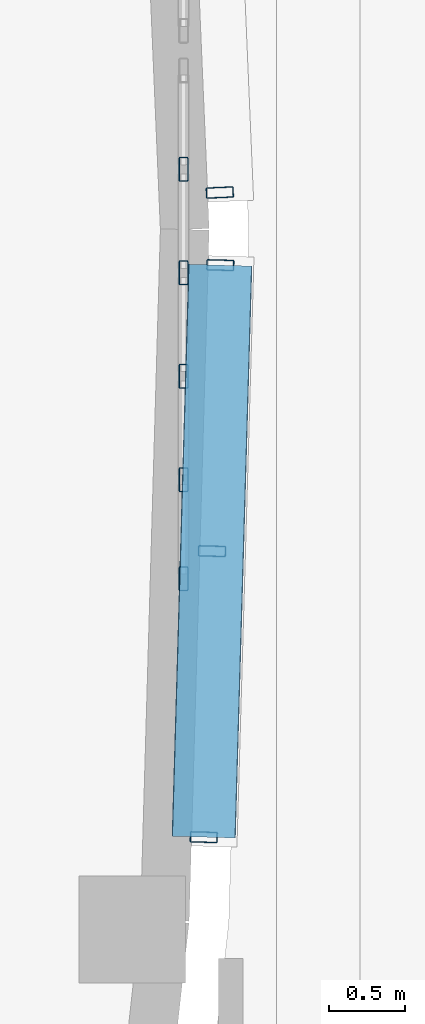
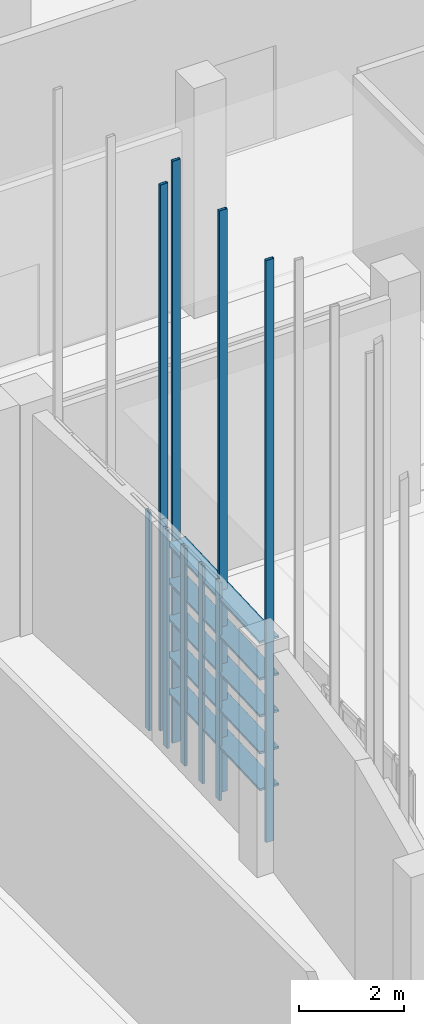
# One storey, part 280 of 372: 14 members, 1 element without a shape of its own.
"""IFC4 building model written with IfcOpenShell, lengths in metres."""

import ifcopenshell
import ifcopenshell.guid

model = None  # the IFC model being written
_history = None  # IfcOwnerHistory: only IFC2X3 demands one
_inside = {}  # id of a spatial element -> (the spatial element, [elements in it])
_under = {}  # id of a project, library or spatial element -> (it, [spatial elements below it])
_declared = {}  # id of a project -> (the project, [libraries it declares])
_typed = {}  # id of a type object -> (the type object, [elements of that type])
_made_of = {}  # id of a material, layer set ... -> (it, [elements and type objects made of it])


def new_model(schema):
    """Start an empty IFC model of exactly this schema.

    Asked for "IFC4X3", IfcOpenShell would pick the latest addendum, in which some entities
    have other attributes; the version numbers below select the first issue.
    IFC2X3 requires an IfcOwnerHistory on every rooted entity: one is made here for all.
    """
    global model, _history
    if schema == "IFC4X3":
        model = ifcopenshell.file(schema_version=(4, 3, 0, 0))
    else:
        model = ifcopenshell.file(schema=schema)
    _inside.clear()
    _under.clear()
    _declared.clear()
    _typed.clear()
    _made_of.clear()
    _history = None
    if model.schema == "IFC2X3":
        org = make("IfcOrganization", Name="unknown")
        user = make(
            "IfcPersonAndOrganization",
            ThePerson=make("IfcPerson", FamilyName="unknown"),
            TheOrganization=org,
        )
        app = make(
            "IfcApplication",
            ApplicationDeveloper=org,
            Version="unknown",
            ApplicationFullName="unknown",
            ApplicationIdentifier="unknown",
        )
        _history = make(
            "IfcOwnerHistory",
            OwningUser=user,
            OwningApplication=app,
            ChangeAction="ADDED",
            CreationDate=0,
        )
    return model


def make(cls, **values):
    """One entity of the class cls with the attributes given. An attribute that is None is left unset."""
    return model.create_entity(
        cls, **{name: value for name, value in values.items() if value is not None}
    )


def rooted(cls, **values):
    """An entity with a GlobalId (a new one), such as an element, a storey or a relation."""
    return make(cls, GlobalId=ifcopenshell.guid.new(), OwnerHistory=_history, **values)


def si_unit(unit_type, name, prefix=None):
    """IfcSIUnit, for example si_unit("LENGTHUNIT", "METRE", prefix="MILLI")."""
    return make("IfcSIUnit", UnitType=unit_type, Prefix=prefix, Name=name)


def assignment(units):
    """IfcUnitAssignment: the units of a project."""
    return None if units is None else make("IfcUnitAssignment", Units=units)


def point(xyz):
    """IfcCartesianPoint."""
    return None if xyz is None else make("IfcCartesianPoint", Coordinates=xyz)


def direction(xyz):
    """IfcDirection."""
    return None if xyz is None else make("IfcDirection", DirectionRatios=xyz)


def frame(location, z_axis=None, x_axis=None):
    """IfcAxis2Placement3D, a coordinate frame: its origin and axes. An axis left out is left unset."""
    return make(
        "IfcAxis2Placement3D",
        Location=point(location),
        Axis=direction(z_axis),
        RefDirection=direction(x_axis),
    )


def frame_2d(location, x_axis=None):
    """IfcAxis2Placement2D, a coordinate frame in the plane: its origin and x axis."""
    return make(
        "IfcAxis2Placement2D", Location=point(location), RefDirection=direction(x_axis)
    )


def origin():
    """The frame at (0, 0, 0) with its axes left unset."""
    return frame((0.0, 0.0, 0.0))


def origin_2d():
    """The frame at (0, 0) in the plane with its x axis left unset."""
    return frame_2d((0.0, 0.0))


def place(relative_to, where):
    """IfcLocalPlacement: puts the frame where relative to a parent placement (None: the world)."""
    return make(
        "IfcLocalPlacement", PlacementRelTo=relative_to, RelativePlacement=where
    )


def context(
    kind, dimensions, precision=None, world=None, true_north=None, identifier=None
):
    """IfcGeometricRepresentationContext, for example the 3D "Model" context."""
    return make(
        "IfcGeometricRepresentationContext",
        ContextIdentifier=identifier,
        ContextType=kind,
        CoordinateSpaceDimension=dimensions,
        Precision=precision,
        WorldCoordinateSystem=world,
        TrueNorth=true_north,
    )


def subcontext(parent, identifier, kind, view, scale=None):
    """IfcGeometricRepresentationSubContext, for example "Body" below "Model"."""
    return make(
        "IfcGeometricRepresentationSubContext",
        ContextIdentifier=identifier,
        ContextType=kind,
        ParentContext=parent,
        TargetScale=scale,
        TargetView=view,
    )


def project(units=None, contexts=None):
    """IfcProject with its units and contexts."""
    return rooted(
        "IfcProject",
        Name="project",
        RepresentationContexts=contexts,
        UnitsInContext=assignment(units),
    )


def spatial(cls, under=None, at=None, **own):
    """A site, building, storey or space (cls), placed at a placement, below another one or the project."""
    s = rooted(cls, ObjectPlacement=at, **own)
    if under is not None:
        _under.setdefault(under.id(), (under, []))[1].append(s)
    return s


def profile(cls, at=None, kind="AREA", **sizes):
    """A parametric profile (cls). Its sizes go by their IFC names, for example OverallWidth=200.0."""
    return make(cls, ProfileType=kind, Position=at, **sizes)


def hollow_rectangle(**sizes):
    """IfcRectangleHollowProfileDef."""
    return profile("IfcRectangleHollowProfileDef", **sizes)


def extrude(swept, where, along, depth):
    """IfcExtrudedAreaSolid: the profile swept, set in the frame where, extruded along a direction by depth."""
    return make(
        "IfcExtrudedAreaSolid",
        SweptArea=swept,
        Position=where,
        ExtrudedDirection=direction(along),
        Depth=depth,
    )


def shape(context_of_items, identifier, shape_type, items):
    """IfcShapeRepresentation: the items that make up one representation, for example the "Body"."""
    return make(
        "IfcShapeRepresentation",
        ContextOfItems=context_of_items,
        RepresentationIdentifier=identifier,
        RepresentationType=shape_type,
        Items=items,
    )


def material(Name=None, Category=None):
    """IfcMaterial."""
    return make("IfcMaterial", Name=Name, Category=Category)


def material_profile(
    of_material, cross_section, Name=None, Category=None, Priority=None
):
    """IfcMaterialProfile: a cross section and its material."""
    return make(
        "IfcMaterialProfile",
        Name=Name,
        Material=of_material,
        Profile=cross_section,
        Priority=Priority,
        Category=Category,
    )


def profile_set(profiles, Name=None, composite=None):
    """IfcMaterialProfileSet."""
    return make(
        "IfcMaterialProfileSet",
        Name=Name,
        MaterialProfiles=profiles,
        CompositeProfile=composite,
    )


def made_of(thing, what):
    """Note that an element or type object is made of a material, layer set ...; save() writes the relation."""
    if what is not None:
        _made_of.setdefault(what.id(), (what, []))[1].append(thing)
    return thing


def type_object(cls, material=None, **own):
    """A type object (cls), such as IfcWallType, which elements share."""
    return made_of(rooted(cls, **own), material)


def element(
    cls,
    number,
    at=None,
    inside=None,
    cuts=None,
    type_object=None,
    material=None,
    context=None,
    identifier="Body",
    shape_type=None,
    held_by="IfcProductDefinitionShape",
    body=None,
    shapes=None,
    **own,
):
    """One element of the class cls, such as IfcWall. Its Tag is "e" and its number.

    at: its placement. inside: the storey or other place that contains it. cuts: it is an
    opening in that element (IfcRelVoidsElement). A single representation is given by context,
    identifier, shape_type and body (its items); several are given by shapes. held_by: the class
    of the entity that holds the representations. save() writes the other relations.
    """
    e = rooted(cls, Tag="e%d" % number, ObjectPlacement=at, **own)
    if body is not None:
        shapes = [shape(context, identifier, shape_type, body)]
    if shapes is not None:
        e.Representation = make(held_by, Representations=shapes)
    if inside is not None:
        _inside.setdefault(inside.id(), (inside, []))[1].append(e)
    if cuts is not None:
        rooted(
            "IfcRelVoidsElement", RelatingBuildingElement=cuts, RelatedOpeningElement=e
        )
    if type_object is not None:
        _typed.setdefault(type_object.id(), (type_object, []))[1].append(e)
    return made_of(e, material)


def aggregate(whole, parts):
    """IfcRelAggregates: a whole, such as a stair, and the parts it consists of."""
    return rooted("IfcRelAggregates", RelatingObject=whole, RelatedObjects=parts)


def save(model, path):
    """Write the relations noted so far, then the file.

    IfcRelAggregates (storeys below a building ...), IfcRelContainedInSpatialStructure (elements
    in a storey), IfcRelDefinesByType, IfcRelAssociatesMaterial and IfcRelDeclares: one each for
    every whole, place, type object, material and project.
    """
    for whole, parts in _under.values():
        aggregate(whole, parts)
    for where, things in _inside.values():
        rooted(
            "IfcRelContainedInSpatialStructure",
            RelatedElements=things,
            RelatingStructure=where,
        )
    for kind, things in _typed.values():
        rooted("IfcRelDefinesByType", RelatedObjects=things, RelatingType=kind)
    for what, things in _made_of.values():
        rooted("IfcRelAssociatesMaterial", RelatedObjects=things, RelatingMaterial=what)
    for by, libraries in _declared.values():
        rooted("IfcRelDeclares", RelatingContext=by, RelatedDefinitions=libraries)
    model.write(path)


model = new_model("IFC4")

# Units and contexts
model_context = context("Model", 3, precision=1e-05, world=origin(), true_north=direction((0.0, 1.0)))
body_context = subcontext(model_context, "Body", "Model", "MODEL_VIEW")
ifc_project = project(units=[si_unit("LENGTHUNIT", "METRE"), si_unit("AREAUNIT", "SQUARE_METRE"), si_unit("VOLUMEUNIT", "CUBIC_METRE"), si_unit("PLANEANGLEUNIT", "RADIAN"), si_unit("MASSUNIT", "GRAM", prefix="KILO")], contexts=[model_context])

# Site, building, storey
site_placement = place(None, origin())
site = spatial("IfcSite", under=ifc_project, at=site_placement, CompositionType="ELEMENT")
building_placement = place(site_placement, origin())
building = spatial("IfcBuilding", under=site, at=building_placement, Name="Kaelora Sail Theatre", CompositionType="ELEMENT")
storey_placement = place(building_placement, origin())
storey = spatial("IfcBuildingStorey", under=building, at=storey_placement, Name="L00", CompositionType="ELEMENT", Elevation=0.0)

# Members
ifc_material_1 = material(Name="Anodised aluminium 6063-T6", Category="aluminium")
ifc_material_profile_1 = material_profile(ifc_material_1, hollow_rectangle(XDim=0.419921875, YDim=0.054931640625, WallThickness=0.00390625, InnerFilletRadius=0.00390625, OuterFilletRadius=0.008056640625, at=origin_2d()), Name="LOUVRE 420x55x4")
ifc_profile_set_1 = profile_set([ifc_material_profile_1], Name="Anodised aluminium 6063-T6")
member_type_1 = type_object("IfcMemberType", Name="ARC-MEM-LVR-420", PredefinedType="USERDEFINED", material=ifc_profile_set_1)
for number, where, z_axis, x_axis, name in (
    (1, (147.7314453125, 48.6904296875, 1.25), (-0.028956416022, -0.999580675069, 0.0), (0.999580675069, -0.028956416022, 0.0), "Black-Box and Experimental Sail Wing horizontal solar louvre C2-01"),
    (2, (147.7314453125, 48.6904296875, 2.110107421875), (-0.028956416022, -0.999580675069, 0.0), (0.999580675069, -0.028956416022, 0.0), "Black-Box and Experimental Sail Wing horizontal solar louvre C2-02"),
    (3, (147.7314453125, 48.6904296875, 2.969970703125), (-0.028956416022, -0.999580675069, 0.0), (0.999580675069, -0.028956416022, 0.0), "Black-Box and Experimental Sail Wing horizontal solar louvre C2-03"),
    (4, (147.7314453125, 48.6904296875, 3.830078125), (-0.028956416022, -0.999580675069, 0.0), (0.999580675069, -0.028956416022, 0.0), "Black-Box and Experimental Sail Wing horizontal solar louvre C2-04"),
    (5, (147.7314453125, 48.6904296875, 4.68994140625), (-0.028956416022, -0.999580675069, 0.0), (0.999580675069, -0.028956416022, 0.0), "Black-Box and Experimental Sail Wing horizontal solar louvre C2-05"),
):
    element("IfcMember", number, at=place(storey_placement, frame(where, z_axis=z_axis, x_axis=x_axis)), inside=storey, type_object=member_type_1, Name=name, ObjectType="LOUVRE", PredefinedType="USERDEFINED", context=body_context, shape_type="SweptSolid", body=[
        extrude(hollow_rectangle(XDim=0.419921875, YDim=0.054931640625, WallThickness=0.00390625, InnerFilletRadius=0.00390625, OuterFilletRadius=0.008056640625, at=origin_2d()), origin(), (0.0, 0.0, 1.0), 3.76025390625),
    ])

# Curtain wall, members
ifc_material_2 = material(Name="Anodised aluminium and solar-control low-E IGU", Category="aluminium")
curtain_wall_type = type_object("IfcCurtainWallType", Name="ARC-CW-CW-FOY2", PredefinedType="NOTDEFINED", material=ifc_material_2)
curtain_wall_placement = place(storey_placement, origin())
curtain_wall = element("IfcCurtainWall", 6, at=curtain_wall_placement, inside=storey, type_object=curtain_wall_type, Name="Glazed Colonnade/Courtyard Curtain Wall COLE-W-L00-05", PredefinedType="NOTDEFINED")
ifc_material_3 = material(Name="Anodised aluminium 6063-T6", Category="aluminium")
ifc_material_profile_2 = material_profile(ifc_material_3, hollow_rectangle(XDim=0.06005859375, YDim=0.159912109375, WallThickness=0.00390625, InnerFilletRadius=0.00390625, OuterFilletRadius=0.008056640625, at=origin_2d()), Name="ALU-MULL 60x160x4")
ifc_profile_set_2 = profile_set([ifc_material_profile_2], Name="Anodised aluminium 6063-T6")
member_type_2 = type_object("IfcMemberType", Name="ARC-MEM-ML-160", PredefinedType="MULLION", material=ifc_profile_set_2)
member_1_placement = place(storey_placement, frame((147.489990234375, 46.6298828125, 0.0), z_axis=(0.0, 0.0, 1.0), x_axis=(-1.0, 0.0, 0.0)))
member_1 = element("IfcMember", 7, at=member_1_placement, type_object=member_type_2, Name="CW-FOY2 mullion 1", PredefinedType="MULLION", context=body_context, shape_type="SweptSolid", body=[
    extrude(hollow_rectangle(XDim=0.06005859375, YDim=0.159912109375, WallThickness=0.00390625, InnerFilletRadius=0.00390625, OuterFilletRadius=0.008056640625, at=origin_2d()), origin(), (0.0, 0.0, 1.0), 5.0849609375),
])
member_2_placement = place(storey_placement, frame((147.489990234375, 47.280029296875, 0.0), z_axis=(0.0, 0.0, 1.0), x_axis=(-1.0, 0.0, 0.0)))
member_2 = element("IfcMember", 8, at=member_2_placement, type_object=member_type_2, Name="CW-FOY2 mullion 2", PredefinedType="MULLION", context=body_context, shape_type="SweptSolid", body=[
    extrude(hollow_rectangle(XDim=0.06005859375, YDim=0.159912109375, WallThickness=0.00390625, InnerFilletRadius=0.00390625, OuterFilletRadius=0.008056640625, at=origin_2d()), origin(), (0.0, 0.0, 1.0), 5.0849609375),
])
member_3_placement = place(storey_placement, frame((147.489990234375, 47.9599609375, 0.0), z_axis=(0.0, 0.0, 1.0), x_axis=(-1.0, 0.0, 0.0)))
member_3 = element("IfcMember", 9, at=member_3_placement, type_object=member_type_2, Name="CW-FOY2 mullion 3", PredefinedType="MULLION", context=body_context, shape_type="SweptSolid", body=[
    extrude(hollow_rectangle(XDim=0.06005859375, YDim=0.159912109375, WallThickness=0.00390625, InnerFilletRadius=0.00390625, OuterFilletRadius=0.008056640625, at=origin_2d()), origin(), (0.0, 0.0, 1.0), 5.0849609375),
])
member_4_placement = place(storey_placement, frame((147.489990234375, 48.639892578125, 0.0), z_axis=(0.0, 0.0, 1.0), x_axis=(-1.0, 0.0, 0.0)))
member_4 = element("IfcMember", 10, at=member_4_placement, type_object=member_type_2, Name="CW-FOY2 mullion 4", PredefinedType="MULLION", context=body_context, shape_type="SweptSolid", body=[
    extrude(hollow_rectangle(XDim=0.06005859375, YDim=0.159912109375, WallThickness=0.00390625, InnerFilletRadius=0.00390625, OuterFilletRadius=0.008056640625, at=origin_2d()), origin(), (0.0, 0.0, 1.0), 5.0849609375),
])
member_5_placement = place(storey_placement, frame((147.489990234375, 49.320068359375, 0.0), z_axis=(0.0, 0.0, 1.0), x_axis=(-1.0, 0.0, 0.0)))
member_5 = element("IfcMember", 11, at=member_5_placement, type_object=member_type_2, Name="CW-FOY2 mullion 5", PredefinedType="MULLION", context=body_context, shape_type="SweptSolid", body=[
    extrude(hollow_rectangle(XDim=0.06005859375, YDim=0.159912109375, WallThickness=0.00390625, InnerFilletRadius=0.00390625, OuterFilletRadius=0.008056640625, at=origin_2d()), origin(), (0.0, 0.0, 1.0), 5.0849609375),
])
aggregate(curtain_wall, [member_1, member_2, member_3, member_4, member_5])

# Members
ifc_material_4 = material(Name="Anodised aluminium 6063-T6", Category="aluminium")
ifc_material_profile_3 = material_profile(ifc_material_4, hollow_rectangle(XDim=0.070068359375, YDim=0.179931640625, WallThickness=0.00390625, InnerFilletRadius=0.00390625, OuterFilletRadius=0.008056640625, at=origin_2d()), Name="ALU-MULL 70x180x4")
ifc_profile_set_3 = profile_set([ifc_material_profile_3], Name="Anodised aluminium 6063-T6")
member_type_3 = type_object("IfcMemberType", Name="ARC-MEM-PST-160", PredefinedType="POST", material=ifc_profile_set_3)
member_6_placement = place(storey_placement, frame((147.72802734375, 49.16748046875, 0.0), z_axis=(0.0, 0.0, 1.0), x_axis=(0.042573162788, -0.9990933519, 0.0)))
element("IfcMember", 12, at=member_6_placement, inside=storey, type_object=member_type_3, Name="Black-Box and Experimental Sail Wing solar louvre vertical support post C1-3", PredefinedType="POST", context=body_context, shape_type="SweptSolid", body=[
    extrude(hollow_rectangle(XDim=0.070068359375, YDim=0.179931640625, WallThickness=0.00390625, InnerFilletRadius=0.00390625, OuterFilletRadius=0.008056640625, at=origin_2d()), origin(), (0.0, 0.0, 1.0), 12.737060546875),
])
for number, where, z_axis, x_axis, name in (
    (13, (147.7314453125, 48.6904296875, 0.0), (0.0, 0.0, 1.0), (-0.028968412487, -0.999580327476, 0.0), "Black-Box and Experimental Sail Wing solar louvre vertical support post C2-1"),
    (14, (147.677001953125, 46.81103515625, 0.0), (0.0, 0.0, 1.0), (-0.028968412487, -0.999580327476, 0.0), "Black-Box and Experimental Sail Wing solar louvre vertical support post C2-2"),
    (15, (147.62255859375, 44.931640625, 0.0), (0.0, 0.0, 1.0), (-0.028968412487, -0.999580327476, 0.0), "Black-Box and Experimental Sail Wing solar louvre vertical support post C2-3"),
):
    element("IfcMember", number, at=place(storey_placement, frame(where, z_axis=z_axis, x_axis=x_axis)), inside=storey, type_object=member_type_3, Name=name, PredefinedType="POST", context=body_context, shape_type="SweptSolid", body=[
        extrude(hollow_rectangle(XDim=0.070068359375, YDim=0.179931640625, WallThickness=0.00390625, InnerFilletRadius=0.00390625, OuterFilletRadius=0.008056640625, at=origin_2d()), origin(), (0.0, 0.0, 1.0), 13.580810546875),
    ])

save(model, "model.ifc")
